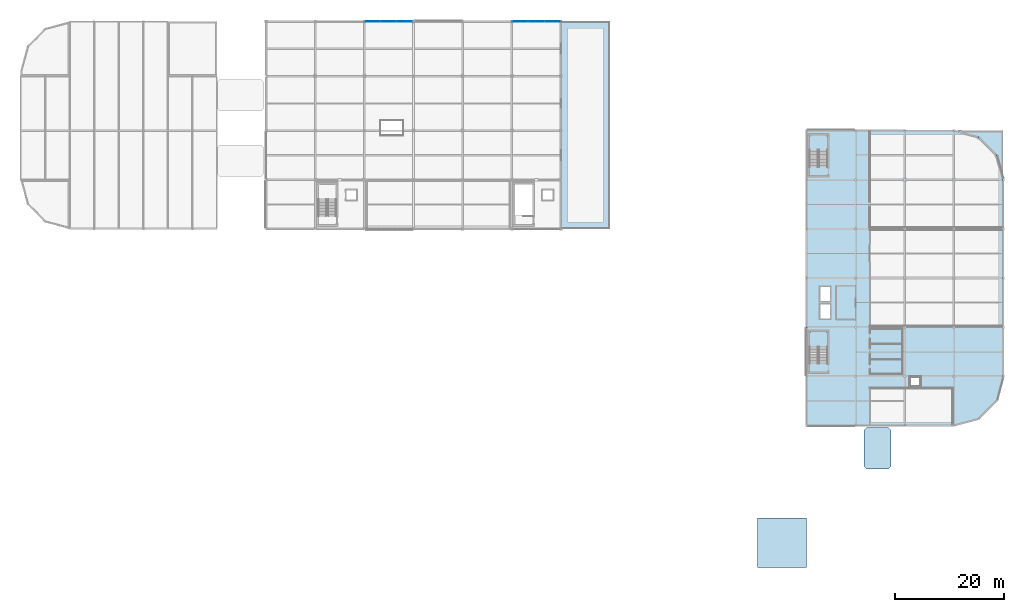
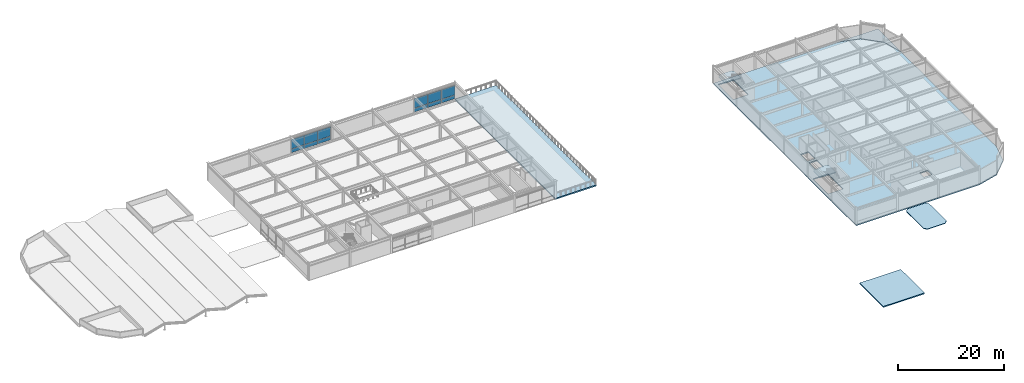
# One storey, part 27 of 40: 12 plates, 7 slabs, 4 elements without a shape of their own.
"""IFC4 building model written with IfcOpenShell, lengths in metres."""

from ifc_helpers import new_model, si_unit, direction, frame, origin, origin_2d, place, context, subcontext, project, spatial, polyline, rectangle, outline, extrude, material, layer, layer_set, type_object, element, aggregate, save


model = new_model("IFC4")

# Units and contexts
model_context = context("Model", 3, precision=1e-05, world=origin(), true_north=direction((0.0, 1.0)))
body_context = subcontext(model_context, "Body", "Model", "MODEL_VIEW")
ifc_project = project(units=[si_unit("LENGTHUNIT", "METRE"), si_unit("AREAUNIT", "SQUARE_METRE"), si_unit("VOLUMEUNIT", "CUBIC_METRE"), si_unit("PLANEANGLEUNIT", "RADIAN"), si_unit("MASSUNIT", "GRAM", prefix="KILO")], contexts=[model_context])

# Site, building, storey
site_placement = place(None, origin())
site = spatial("IfcSite", under=ifc_project, at=site_placement, CompositionType="ELEMENT")
building_placement = place(site_placement, origin())
building = spatial("IfcBuilding", under=site, at=building_placement, Name="Suzunagisa Mobility Hub", CompositionType="ELEMENT")
storey_placement = place(building_placement, frame((0.0, 0.0, 21.89990234375)))
storey = spatial("IfcBuildingStorey", under=building, at=storey_placement, Name="L05", CompositionType="ELEMENT", Elevation=21.89990234375)

# Slabs
ifc_material_1 = material(Name="Concrete C30/37", Category="concrete")
ifc_layer_1 = layer(ifc_material_1, 0.139892578125)
ifc_layer_set_1 = layer_set([ifc_layer_1], Name="Concrete C30/37")
slab_type_1 = type_object("IfcSlabType", Name="Composite Slab SL-06 140mm", PredefinedType="ROOF", material=ifc_layer_set_1)
slab_1_placement = place(storey_placement, frame((0.0, 0.0, -0.139892578125)))
element("IfcSlab", 1, at=slab_1_placement, inside=storey, type_object=slab_type_1, Name="L05 Skybridge Canopy SB-06", PredefinedType="ROOF", context=body_context, shape_type="SweptSolid", body=[
    extrude(outline(polyline([(155.050048828125, 36.0), (158.949951171875, 36.0), (159.5, 36.550048828125), (159.5, 43.10009765625), (158.949951171875, 43.64990234375), (155.050048828125, 43.64990234375), (154.5, 43.10009765625), (154.5, 36.550048828125), (155.050048828125, 36.0)])), origin(), (0.0, 0.0, 1.0), 0.139892578125),
])
ifc_material_2 = material(Name="Concrete C35/45", Category="concrete")
ifc_layer_2 = layer(ifc_material_2, 0.260009765625)
ifc_layer_set_2 = layer_set([ifc_layer_2], Name="Concrete C35/45")
slab_type_2 = type_object("IfcSlabType", Name="Composite Slab SL-12 260mm", PredefinedType="FLOOR", material=ifc_layer_set_2)
slab_2_placement = place(storey_placement, frame((0.0, 0.0, -0.260009765625)))
element("IfcSlab", 2, at=slab_2_placement, inside=storey, type_object=slab_type_2, Name="L05 V3 Floor Slab", PredefinedType="FLOOR", context=body_context, shape_type="SweptSolid", body=[
    extrude(outline(polyline([(144.0, 44.0), (171.0, 44.0), (175.5, 45.205810546875), (178.794189453125, 48.5), (180.0, 53.0), (180.0, 89.0), (178.794189453125, 93.5), (175.5, 96.794189453125), (171.0, 98.0), (144.0, 98.0), (144.0, 44.0)]), holes=[polyline([(163.0, 51.199951171875), (164.800048828125, 51.199951171875), (164.800048828125, 52.800048828125), (163.0, 52.800048828125), (163.0, 51.199951171875)]), polyline([(144.56005859375, 55.47998046875), (147.840087890625, 55.47998046875), (147.840087890625, 61.199951171875), (144.56005859375, 61.199951171875), (144.56005859375, 55.47998046875)]), polyline([(146.52001953125, 63.6201171875), (148.280029296875, 63.6201171875), (148.280029296875, 66.179931640625), (146.52001953125, 66.179931640625), (146.52001953125, 63.6201171875)]), polyline([(146.52001953125, 66.820068359375), (148.280029296875, 66.820068359375), (148.280029296875, 69.3798828125), (146.52001953125, 69.3798828125), (146.52001953125, 66.820068359375)]), polyline([(144.56005859375, 91.47998046875), (147.840087890625, 91.47998046875), (147.840087890625, 97.199951171875), (144.56005859375, 97.199951171875), (144.56005859375, 91.47998046875)])]), origin(), (0.0, 0.0, 1.0), 0.260009765625),
])
ifc_layer_3 = layer(ifc_material_2, 0.280029296875)
ifc_layer_set_3 = layer_set([ifc_layer_3], Name="Concrete C35/45")
slab_type_3 = type_object("IfcSlabType", Name="Composite Slab SL-15 280mm", PredefinedType="ROOF", material=ifc_layer_set_3)
slab_3_placement = place(storey_placement, frame((0.0, 0.0, -0.27978515625)))
element("IfcSlab", 3, at=slab_3_placement, inside=storey, type_object=slab_type_3, Name="L05 V4 Roof Terrace Slab", PredefinedType="ROOF", context=body_context, shape_type="SweptSolid", body=[
    extrude(outline(polyline([(99.0, 80.0), (108.0, 80.0), (108.0, 118.0), (99.0, 118.0), (99.0, 80.0)])), origin(), (0.0, 0.0, 1.0), 0.27978515625),
])
ifc_layer_4 = layer(ifc_material_1, 0.260009765625)
ifc_layer_set_4 = layer_set([ifc_layer_4], Name="Concrete C30/37")
slab_type_4 = type_object("IfcSlabType", Name="Composite Slab SL-17 260mm", PredefinedType="ROOF", material=ifc_layer_set_4)
slab_4_placement = place(storey_placement, frame((0.0, 0.0, -0.260009765625)))
element("IfcSlab", 4, at=slab_4_placement, inside=storey, type_object=slab_type_4, Name="L05 V3 Roof Slab", PredefinedType="ROOF", context=body_context, shape_type="SweptSolid", body=[
    extrude(outline(polyline([(171.019287109375, 98.0), (175.50341796875, 96.797607421875), (178.79833984375, 93.502685546875), (180.0, 89.019287109375), (180.0, 98.0), (171.019287109375, 98.0)])), origin(), (0.0, 0.0, 1.0), 0.260009765625),
])
slab_5_placement = place(storey_placement, frame((0.0, 0.0, -0.260009765625)))
element("IfcSlab", 5, at=slab_5_placement, inside=storey, type_object=slab_type_4, Name="L05 Core C7 Roof Garden Penthouse Roof Slab", PredefinedType="ROOF", context=body_context, shape_type="SweptSolid", body=[
    extrude(outline(polyline([(135.0, 18.0), (144.0, 18.0), (144.0, 27.0), (135.0, 27.0), (135.0, 18.0)])), origin(), (0.0, 0.0, 1.0), 0.260009765625),
])

# Stair, slab
stair_type_1 = type_object("IfcStairType", Name="Dog-Leg Core Escape Stair ST-11 W1560", PredefinedType="HALF_TURN_STAIR", material=ifc_material_2)
stair_1_placement = place(storey_placement, origin())
stair_1 = element("IfcStair", 6, at=stair_1_placement, inside=storey, type_object=stair_type_1, Name="L05 Core C5 Escape Stair ST-11", PredefinedType="HALF_TURN_STAIR")
ifc_layer_5 = layer(ifc_material_2, 0.199951171875)
ifc_layer_set_5 = layer_set([ifc_layer_5], Name="Concrete C35/45")
slab_type_5 = type_object("IfcSlabType", Name="Core Stair Half-Landing Slab SL-SLND", PredefinedType="LANDING", material=ifc_layer_set_5)
slab_6_placement = place(storey_placement, frame((0.0, 0.0, 1.900146484375)))
slab_6 = element("IfcSlab", 7, at=slab_6_placement, type_object=slab_type_5, Name="ST-11 landing 1", PredefinedType="LANDING", context=body_context, shape_type="SweptSolid", body=[
    extrude(outline(polyline([(144.4599609375, 58.360107421875), (147.93994140625, 58.360107421875), (147.93994140625, 60.820068359375), (147.4599609375, 61.300048828125), (144.93994140625, 61.300048828125), (144.4599609375, 60.820068359375), (144.4599609375, 58.360107421875)])), origin(), (0.0, 0.0, 1.0), 0.199951171875),
])
aggregate(stair_1, [slab_6])

stair_type_2 = type_object("IfcStairType", Name="Dog-Leg Core Escape Stair ST-12 W1560", PredefinedType="HALF_TURN_STAIR", material=ifc_material_2)
stair_2_placement = place(storey_placement, origin())
stair_2 = element("IfcStair", 8, at=stair_2_placement, inside=storey, type_object=stair_type_2, Name="L05 Core C5B Escape Stair ST-12", PredefinedType="HALF_TURN_STAIR")
slab_7_placement = place(storey_placement, frame((0.0, 0.0, 1.900146484375)))
slab_7 = element("IfcSlab", 9, at=slab_7_placement, type_object=slab_type_5, Name="ST-12 landing 1", PredefinedType="LANDING", context=body_context, shape_type="SweptSolid", body=[
    extrude(outline(polyline([(144.4599609375, 94.360107421875), (147.93994140625, 94.360107421875), (147.93994140625, 96.820068359375), (147.4599609375, 97.300048828125), (144.93994140625, 97.300048828125), (144.4599609375, 96.820068359375), (144.4599609375, 94.360107421875)])), origin(), (0.0, 0.0, 1.0), 0.199951171875),
])
aggregate(stair_2, [slab_7])

# Curtain wall, plates
ifc_material_3 = material(Name="Thermally Broken Anodized Aluminum and Low-E Glazing", Category="aluminium")
curtain_wall_type_1 = type_object("IfcCurtainWallType", Name="Unitised Curtain Wall CW-33 9000x3200", PredefinedType="USERDEFINED", material=ifc_material_3)
curtain_wall_1_placement = place(storey_placement, origin())
curtain_wall_1 = element("IfcCurtainWall", 10, at=curtain_wall_1_placement, inside=storey, type_object=curtain_wall_type_1, Name="L05 Unitised Curtain Wall CW-137", ObjectType="UNITISED CURTAIN WALL", PredefinedType="USERDEFINED")
ifc_material_4 = material(Name="Low-E Solar-Control Double Glazing", Category="glass")
ifc_layer_6 = layer(ifc_material_4, 0.028076171875)
ifc_layer_set_6 = layer_set([ifc_layer_6], Name="Low-E Solar-Control Double Glazing")
plate_type = type_object("IfcPlateType", Name="Low-E Double Glazed Curtain Panel GP-01 28mm", PredefinedType="CURTAIN_PANEL", material=ifc_layer_set_6)
plate_1_placement = place(storey_placement, frame((97.48193359375, 118.0, 0.06298828125), z_axis=(0.0, 0.0, 1.0), x_axis=(-1.0, 0.0, 0.0)))
plate_1 = element("IfcPlate", 11, at=plate_1_placement, type_object=plate_type, Name="Curtain Wall Glazing Panel 137-P1.1", PredefinedType="CURTAIN_PANEL", context=body_context, shape_type="SweptSolid", body=[
    extrude(rectangle(XDim=2.910888671875, YDim=0.028076171875, at=origin_2d()), origin(), (0.0, 0.0, 1.0), 0.8564453125),
])
plate_2_placement = place(storey_placement, frame((97.48193359375, 118.0, 0.98046875), z_axis=(0.0, 0.0, 1.0), x_axis=(-1.0, 0.0, 0.0)))
plate_2 = element("IfcPlate", 12, at=plate_2_placement, type_object=plate_type, Name="Curtain Wall Glazing Panel 137-P1.2", PredefinedType="CURTAIN_PANEL", context=body_context, shape_type="SweptSolid", body=[
    extrude(rectangle(XDim=2.910888671875, YDim=0.028076171875, at=origin_2d()), origin(), (0.0, 0.0, 1.0), 2.176513671875),
])
plate_3_placement = place(storey_placement, frame((94.5, 118.0, 0.06298828125), z_axis=(0.0, 0.0, 1.0), x_axis=(-1.0, 0.0, 0.0)))
plate_3 = element("IfcPlate", 13, at=plate_3_placement, type_object=plate_type, Name="Curtain Wall Glazing Panel 137-P2.1", PredefinedType="CURTAIN_PANEL", context=body_context, shape_type="SweptSolid", body=[
    extrude(rectangle(XDim=2.94091796875, YDim=0.028076171875, at=origin_2d()), origin(), (0.0, 0.0, 1.0), 0.8564453125),
])
plate_4_placement = place(storey_placement, frame((94.5, 118.0, 0.98046875), z_axis=(0.0, 0.0, 1.0), x_axis=(-1.0, 0.0, 0.0)))
plate_4 = element("IfcPlate", 14, at=plate_4_placement, type_object=plate_type, Name="Curtain Wall Glazing Panel 137-P2.2", PredefinedType="CURTAIN_PANEL", context=body_context, shape_type="SweptSolid", body=[
    extrude(rectangle(XDim=2.94091796875, YDim=0.028076171875, at=origin_2d()), origin(), (0.0, 0.0, 1.0), 2.176513671875),
])
plate_5_placement = place(storey_placement, frame((91.51806640625, 118.0, 0.06298828125), z_axis=(0.0, 0.0, 1.0), x_axis=(-1.0, 0.0, 0.0)))
plate_5 = element("IfcPlate", 15, at=plate_5_placement, type_object=plate_type, Name="Curtain Wall Glazing Panel 137-P3.1", PredefinedType="CURTAIN_PANEL", context=body_context, shape_type="SweptSolid", body=[
    extrude(rectangle(XDim=2.910888671875, YDim=0.028076171875, at=origin_2d()), origin(), (0.0, 0.0, 1.0), 0.8564453125),
])
plate_6_placement = place(storey_placement, frame((91.51806640625, 118.0, 0.98046875), z_axis=(0.0, 0.0, 1.0), x_axis=(-1.0, 0.0, 0.0)))
plate_6 = element("IfcPlate", 16, at=plate_6_placement, type_object=plate_type, Name="Curtain Wall Glazing Panel 137-P3.2", PredefinedType="CURTAIN_PANEL", context=body_context, shape_type="SweptSolid", body=[
    extrude(rectangle(XDim=2.910888671875, YDim=0.028076171875, at=origin_2d()), origin(), (0.0, 0.0, 1.0), 2.176513671875),
])
aggregate(curtain_wall_1, [plate_1, plate_2, plate_3, plate_4, plate_5, plate_6])

curtain_wall_type_2 = type_object("IfcCurtainWallType", Name="Unitised Curtain Wall CW-13 8750x3200", PredefinedType="USERDEFINED", material=ifc_material_3)
curtain_wall_2_placement = place(storey_placement, origin())
curtain_wall_2 = element("IfcCurtainWall", 17, at=curtain_wall_2_placement, inside=storey, type_object=curtain_wall_type_2, Name="L05 Unitised Curtain Wall CW-138", ObjectType="UNITISED CURTAIN WALL", PredefinedType="USERDEFINED")
plate_7_placement = place(storey_placement, frame((70.33984375, 118.0, 0.06298828125), z_axis=(0.0, 0.0, 1.0), x_axis=(-1.0, 0.0, 0.0)))
plate_7 = element("IfcPlate", 18, at=plate_7_placement, type_object=plate_type, Name="Curtain Wall Glazing Panel 138-P1.1", PredefinedType="CURTAIN_PANEL", context=body_context, shape_type="SweptSolid", body=[
    extrude(rectangle(XDim=2.854248046875, YDim=0.028076171875, at=origin_2d()), origin(), (0.0, 0.0, 1.0), 0.8564453125),
])
plate_8_placement = place(storey_placement, frame((70.33984375, 118.0, 0.98046875), z_axis=(0.0, 0.0, 1.0), x_axis=(-1.0, 0.0, 0.0)))
plate_8 = element("IfcPlate", 19, at=plate_8_placement, type_object=plate_type, Name="Curtain Wall Glazing Panel 138-P1.2", PredefinedType="CURTAIN_PANEL", context=body_context, shape_type="SweptSolid", body=[
    extrude(rectangle(XDim=2.854248046875, YDim=0.028076171875, at=origin_2d()), origin(), (0.0, 0.0, 1.0), 2.176513671875),
])
plate_9_placement = place(storey_placement, frame((67.414794921875, 118.0, 0.06298828125), z_axis=(0.0, 0.0, 1.0), x_axis=(-1.0, 0.0, 0.0)))
plate_9 = element("IfcPlate", 20, at=plate_9_placement, type_object=plate_type, Name="Curtain Wall Glazing Panel 138-P2.1", PredefinedType="CURTAIN_PANEL", context=body_context, shape_type="SweptSolid", body=[
    extrude(rectangle(XDim=2.884033203125, YDim=0.028076171875, at=origin_2d()), origin(), (0.0, 0.0, 1.0), 0.8564453125),
])
plate_10_placement = place(storey_placement, frame((67.414794921875, 118.0, 0.98046875), z_axis=(0.0, 0.0, 1.0), x_axis=(-1.0, 0.0, 0.0)))
plate_10 = element("IfcPlate", 21, at=plate_10_placement, type_object=plate_type, Name="Curtain Wall Glazing Panel 138-P2.2", PredefinedType="CURTAIN_PANEL", context=body_context, shape_type="SweptSolid", body=[
    extrude(rectangle(XDim=2.884033203125, YDim=0.028076171875, at=origin_2d()), origin(), (0.0, 0.0, 1.0), 2.176513671875),
])
plate_11_placement = place(storey_placement, frame((64.489501953125, 118.0, 0.06298828125), z_axis=(0.0, 0.0, 1.0), x_axis=(-1.0, 0.0, 0.0)))
plate_11 = element("IfcPlate", 22, at=plate_11_placement, type_object=plate_type, Name="Curtain Wall Glazing Panel 138-P3.1", PredefinedType="CURTAIN_PANEL", context=body_context, shape_type="SweptSolid", body=[
    extrude(rectangle(XDim=2.854248046875, YDim=0.028076171875, at=origin_2d()), origin(), (0.0, 0.0, 1.0), 0.8564453125),
])
plate_12_placement = place(storey_placement, frame((64.489501953125, 118.0, 0.98046875), z_axis=(0.0, 0.0, 1.0), x_axis=(-1.0, 0.0, 0.0)))
plate_12 = element("IfcPlate", 23, at=plate_12_placement, type_object=plate_type, Name="Curtain Wall Glazing Panel 138-P3.2", PredefinedType="CURTAIN_PANEL", context=body_context, shape_type="SweptSolid", body=[
    extrude(rectangle(XDim=2.854248046875, YDim=0.028076171875, at=origin_2d()), origin(), (0.0, 0.0, 1.0), 2.176513671875),
])
aggregate(curtain_wall_2, [plate_7, plate_8, plate_9, plate_10, plate_11, plate_12])

save(model, "model.ifc")
